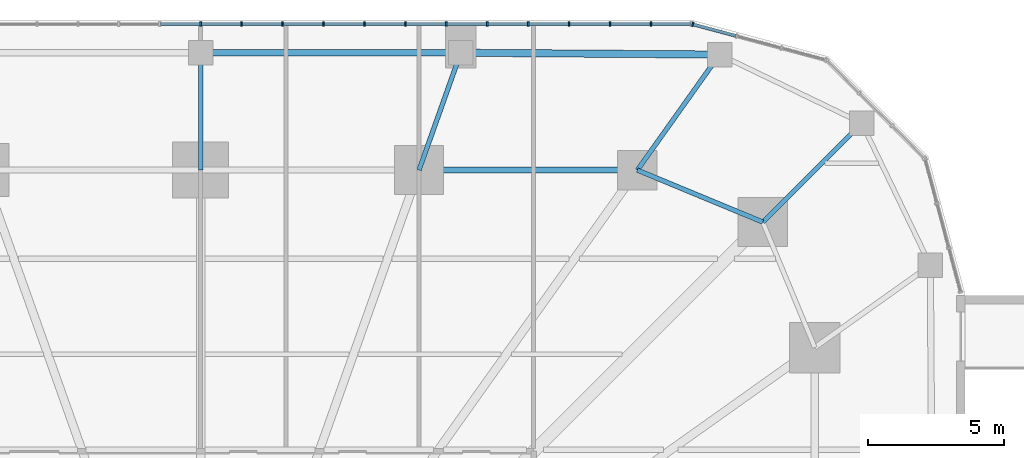
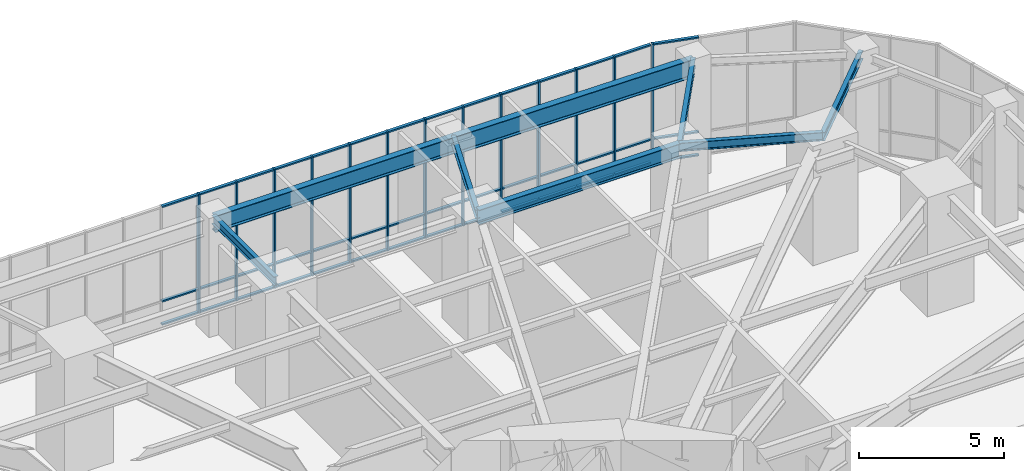
# One storey, part 15 of 24: 55 members, 8 beams, 2 elements without a shape of their own.
"""IFC4 building model written with IfcOpenShell, lengths in metres."""

from ifc_helpers import new_model, si_unit, direction, frame, origin, origin_2d, place, context, subcontext, project, spatial, rectangle, i_section, extrude, material, material_profile, profile_set, type_object, element, aggregate, save


model = new_model("IFC4")

# Units and contexts
model_context = context("Model", 3, precision=1e-05, world=origin(), true_north=direction((0.0, 1.0)))
body_context = subcontext(model_context, "Body", "Model", "MODEL_VIEW")
ifc_project = project(units=[si_unit("LENGTHUNIT", "METRE"), si_unit("AREAUNIT", "SQUARE_METRE"), si_unit("VOLUMEUNIT", "CUBIC_METRE"), si_unit("PLANEANGLEUNIT", "RADIAN"), si_unit("MASSUNIT", "GRAM", prefix="KILO")], contexts=[model_context])

# Site, building, storey
site_placement = place(None, origin())
site = spatial("IfcSite", under=ifc_project, at=site_placement, CompositionType="ELEMENT")
building_placement = place(site_placement, origin())
building = spatial("IfcBuilding", under=site, at=building_placement, Name="Nakasero Lantern House", CompositionType="ELEMENT")
storey_placement = place(building_placement, frame((0.0, 0.0, 11.0)))
storey = spatial("IfcBuildingStorey", under=building, at=storey_placement, Name="L02", CompositionType="ELEMENT", Elevation=11.0)

# Curtain wall, member
ifc_material_1 = material(Name="Aluminium 6063-T6 and glass", Category="aluminium")
curtain_wall_type = type_object("IfcCurtainWallType", Name="Podium curtain wall CW-2", PredefinedType="USERDEFINED", material=ifc_material_1)
curtain_wall_1_placement = place(storey_placement, origin())
curtain_wall_1 = element("IfcCurtainWall", 1, at=curtain_wall_1_placement, inside=storey, type_object=curtain_wall_type, Name="Curtain wall CW-2 L02", ObjectType="STICK CURTAIN WALL", PredefinedType="USERDEFINED")
ifc_material_2 = material(Name="Aluminium 6063-T6", Category="aluminium")
ifc_material_profile_1 = material_profile(ifc_material_2, rectangle(XDim=0.06005859375, YDim=0.159912109375, at=origin_2d()), Name="CW-2 mullion 60x160")
ifc_profile_set_1 = profile_set([ifc_material_profile_1], Name="Aluminium 6063-T6")
member_type_1 = type_object("IfcMemberType", Name="Mullion CW-2", PredefinedType="MULLION", material=ifc_profile_set_1)
member_1_placement = place(storey_placement, frame((18.029052734375, 27.84228515625, 0.0), z_axis=(0.0, 0.0, 1.0), x_axis=(-0.965925826289, 0.258819045103, 0.0)))
member_1 = element("IfcMember", 2, at=member_1_placement, type_object=member_type_1, Name="CW-2 mullion 4", PredefinedType="MULLION", context=body_context, shape_type="SweptSolid", body=[
    extrude(rectangle(XDim=0.06005859375, YDim=0.159912109375, at=origin_2d()), origin(), (0.0, 0.0, 1.0), 5.0),
])

# Curtain wall, members
curtain_wall_2_placement = place(storey_placement, origin())
curtain_wall_2 = element("IfcCurtainWall", 3, at=curtain_wall_2_placement, inside=storey, type_object=curtain_wall_type, Name="Curtain wall CW-2 L02", ObjectType="STICK CURTAIN WALL", PredefinedType="USERDEFINED")
member_2_placement = place(storey_placement, frame((16.5, 27.85009765625, 0.0), z_axis=(0.0, 0.0, 1.0), x_axis=(-1.0, 0.0, 0.0)))
member_2 = element("IfcMember", 4, at=member_2_placement, type_object=member_type_1, Name="CW-2 mullion 2", PredefinedType="MULLION", context=body_context, shape_type="SweptSolid", body=[
    extrude(rectangle(XDim=0.06005859375, YDim=0.159912109375, at=origin_2d()), origin(), (0.0, 0.0, 1.0), 5.0),
])
member_3_placement = place(storey_placement, frame((15.0, 27.85009765625, 0.0), z_axis=(0.0, 0.0, 1.0), x_axis=(-1.0, 0.0, 0.0)))
member_3 = element("IfcMember", 5, at=member_3_placement, type_object=member_type_1, Name="CW-2 mullion 3", PredefinedType="MULLION", context=body_context, shape_type="SweptSolid", body=[
    extrude(rectangle(XDim=0.06005859375, YDim=0.159912109375, at=origin_2d()), origin(), (0.0, 0.0, 1.0), 5.0),
])
member_4_placement = place(storey_placement, frame((13.5, 27.85009765625, 0.0), z_axis=(0.0, 0.0, 1.0), x_axis=(-1.0, 0.0, 0.0)))
member_4 = element("IfcMember", 6, at=member_4_placement, type_object=member_type_1, Name="CW-2 mullion 4", PredefinedType="MULLION", context=body_context, shape_type="SweptSolid", body=[
    extrude(rectangle(XDim=0.06005859375, YDim=0.159912109375, at=origin_2d()), origin(), (0.0, 0.0, 1.0), 5.0),
])
member_5_placement = place(storey_placement, frame((12.0, 27.85009765625, 0.0), z_axis=(0.0, 0.0, 1.0), x_axis=(-1.0, 0.0, 0.0)))
member_5 = element("IfcMember", 7, at=member_5_placement, type_object=member_type_1, Name="CW-2 mullion 5", PredefinedType="MULLION", context=body_context, shape_type="SweptSolid", body=[
    extrude(rectangle(XDim=0.06005859375, YDim=0.159912109375, at=origin_2d()), origin(), (0.0, 0.0, 1.0), 5.0),
])
member_6_placement = place(storey_placement, frame((10.5, 27.85009765625, 0.0), z_axis=(0.0, 0.0, 1.0), x_axis=(-1.0, 0.0, 0.0)))
member_6 = element("IfcMember", 8, at=member_6_placement, type_object=member_type_1, Name="CW-2 mullion 6", PredefinedType="MULLION", context=body_context, shape_type="SweptSolid", body=[
    extrude(rectangle(XDim=0.06005859375, YDim=0.159912109375, at=origin_2d()), origin(), (0.0, 0.0, 1.0), 5.0),
])
member_7_placement = place(storey_placement, frame((9.0, 27.85009765625, 0.0), z_axis=(0.0, 0.0, 1.0), x_axis=(-1.0, 0.0, 0.0)))
member_7 = element("IfcMember", 9, at=member_7_placement, type_object=member_type_1, Name="CW-2 mullion 7", PredefinedType="MULLION", context=body_context, shape_type="SweptSolid", body=[
    extrude(rectangle(XDim=0.06005859375, YDim=0.159912109375, at=origin_2d()), origin(), (0.0, 0.0, 1.0), 5.0),
])
member_8_placement = place(storey_placement, frame((7.5, 27.85009765625, 0.0), z_axis=(0.0, 0.0, 1.0), x_axis=(-1.0, 0.0, 0.0)))
member_8 = element("IfcMember", 10, at=member_8_placement, type_object=member_type_1, Name="CW-2 mullion 8", PredefinedType="MULLION", context=body_context, shape_type="SweptSolid", body=[
    extrude(rectangle(XDim=0.06005859375, YDim=0.159912109375, at=origin_2d()), origin(), (0.0, 0.0, 1.0), 5.0),
])
member_9_placement = place(storey_placement, frame((6.0, 27.85009765625, 0.0), z_axis=(0.0, 0.0, 1.0), x_axis=(-1.0, 0.0, 0.0)))
member_9 = element("IfcMember", 11, at=member_9_placement, type_object=member_type_1, Name="CW-2 mullion 9", PredefinedType="MULLION", context=body_context, shape_type="SweptSolid", body=[
    extrude(rectangle(XDim=0.06005859375, YDim=0.159912109375, at=origin_2d()), origin(), (0.0, 0.0, 1.0), 5.0),
])
member_10_placement = place(storey_placement, frame((4.5, 27.85009765625, 0.0), z_axis=(0.0, 0.0, 1.0), x_axis=(-1.0, 0.0, 0.0)))
member_10 = element("IfcMember", 12, at=member_10_placement, type_object=member_type_1, Name="CW-2 mullion 10", PredefinedType="MULLION", context=body_context, shape_type="SweptSolid", body=[
    extrude(rectangle(XDim=0.06005859375, YDim=0.159912109375, at=origin_2d()), origin(), (0.0, 0.0, 1.0), 5.0),
])
member_11_placement = place(storey_placement, frame((3.0, 27.85009765625, 0.0), z_axis=(0.0, 0.0, 1.0), x_axis=(-1.0, 0.0, 0.0)))
member_11 = element("IfcMember", 13, at=member_11_placement, type_object=member_type_1, Name="CW-2 mullion 11", PredefinedType="MULLION", context=body_context, shape_type="SweptSolid", body=[
    extrude(rectangle(XDim=0.06005859375, YDim=0.159912109375, at=origin_2d()), origin(), (0.0, 0.0, 1.0), 5.0),
])
member_12_placement = place(storey_placement, frame((1.5, 27.85009765625, 0.0), z_axis=(0.0, 0.0, 1.0), x_axis=(-1.0, 0.0, 0.0)))
member_12 = element("IfcMember", 14, at=member_12_placement, type_object=member_type_1, Name="CW-2 mullion 12", PredefinedType="MULLION", context=body_context, shape_type="SweptSolid", body=[
    extrude(rectangle(XDim=0.06005859375, YDim=0.159912109375, at=origin_2d()), origin(), (0.0, 0.0, 1.0), 5.0),
])
member_13_placement = place(storey_placement, frame((0.0, 27.85009765625, 0.0), z_axis=(0.0, 0.0, 1.0), x_axis=(-1.0, 0.0, 0.0)))
member_13 = element("IfcMember", 15, at=member_13_placement, type_object=member_type_1, Name="CW-2 mullion 13", PredefinedType="MULLION", context=body_context, shape_type="SweptSolid", body=[
    extrude(rectangle(XDim=0.06005859375, YDim=0.159912109375, at=origin_2d()), origin(), (0.0, 0.0, 1.0), 5.0),
])

# Beams
ifc_material_3 = material(Name="Steel S355", Category="steel")
ifc_material_profile_2 = material_profile(ifc_material_3, i_section(OverallWidth=0.17138671875, OverallDepth=0.35498046875, WebThickness=0.00732421875, FlangeThickness=0.011474609375, FilletRadius=0.01025390625, at=origin_2d()), Name="UB 356x171x51")
ifc_profile_set_2 = profile_set([ifc_material_profile_2], Name="Steel S355")
beam_type_1 = type_object("IfcBeamType", Name="Primary beam UB 356x171x51, span to 6 m", PredefinedType="BEAM", material=ifc_profile_set_2)
beam_1_placement = place(storey_placement, frame((24.22265625, 24.22265625, 4.572509765625), z_axis=(-0.707106781187, -0.707106781187, 0.0), x_axis=(0.707106781187, -0.707106781187, 0.0)))
element("IfcBeam", 16, at=beam_1_placement, inside=storey, type_object=beam_type_1, Name="Primary beam L03 POD-C06", PredefinedType="BEAM", context=body_context, shape_type="SweptSolid", body=[
    extrude(i_section(OverallWidth=0.17138671875, OverallDepth=0.35498046875, WebThickness=0.00732421875, FlangeThickness=0.011474609375, FilletRadius=0.01025390625, at=origin_2d()), origin(), (0.0, 0.0, 1.0), 5.128662109375),
])
beam_2_placement = place(storey_placement, frame((19.0107421875, 26.733642578125, 4.572509765625), z_axis=(-0.57954320692, -0.814941514044, 0.0), x_axis=(0.814941514044, -0.57954320692, 0.0)))
element("IfcBeam", 17, at=beam_2_placement, inside=storey, type_object=beam_type_1, Name="Primary beam L03 POD-C07", PredefinedType="BEAM", context=body_context, shape_type="SweptSolid", body=[
    extrude(i_section(OverallWidth=0.17138671875, OverallDepth=0.35498046875, WebThickness=0.00732421875, FlangeThickness=0.011474609375, FilletRadius=0.01025390625, at=origin_2d()), origin(), (0.0, 0.0, 1.0), 5.195068359375),
])
beam_3_placement = place(storey_placement, frame((9.52880859375, 26.800048828125, 4.572509765625), z_axis=(-0.334990670833, -0.942221444489, 0.0), x_axis=(0.942221444489, -0.334990670833, 0.0)))
element("IfcBeam", 18, at=beam_3_placement, inside=storey, type_object=beam_type_1, Name="Primary beam L03 POD-C08", PredefinedType="BEAM", context=body_context, shape_type="SweptSolid", body=[
    extrude(i_section(OverallWidth=0.17138671875, OverallDepth=0.35498046875, WebThickness=0.00732421875, FlangeThickness=0.011474609375, FilletRadius=0.01025390625, at=origin_2d()), origin(), (0.0, 0.0, 1.0), 4.563720703125),
])
beam_4_placement = place(storey_placement, frame((0.0, 26.800048828125, 4.572509765625), z_axis=(0.0, -1.0, 0.0), x_axis=(1.0, 0.0, 0.0)))
element("IfcBeam", 19, at=beam_4_placement, inside=storey, type_object=beam_type_1, Name="Primary beam L03 POD-C09", PredefinedType="BEAM", context=body_context, shape_type="SweptSolid", body=[
    extrude(i_section(OverallWidth=0.17138671875, OverallDepth=0.35498046875, WebThickness=0.00732421875, FlangeThickness=0.011474609375, FilletRadius=0.01025390625, at=origin_2d()), origin(), (0.0, 0.0, 1.0), 4.300048828125),
])
ifc_material_4 = material(Name="Steel S355", Category="steel")
ifc_material_profile_3 = material_profile(ifc_material_4, i_section(OverallWidth=0.17138671875, OverallDepth=0.35498046875, WebThickness=0.00732421875, FlangeThickness=0.011474609375, FilletRadius=0.01025390625, at=origin_2d()), Name="UB 356x171x51")
ifc_profile_set_3 = profile_set([ifc_material_profile_3], Name="Steel S355")
beam_type_2 = type_object("IfcBeamType", Name="Ring beam UB 356x171x51", PredefinedType="BEAM", material=ifc_profile_set_3)
beam_5_placement = place(storey_placement, frame((20.59619140625, 20.59619140625, 4.62255859375), z_axis=(-0.923879264016, 0.382684080569, 0.0), x_axis=(-0.382684080569, -0.923879264016, 0.0)))
element("IfcBeam", 20, at=beam_5_placement, inside=storey, type_object=beam_type_2, Name="Ring beam L03 B1-C06", PredefinedType="BEAM", context=body_context, shape_type="SweptSolid", body=[
    extrude(i_section(OverallWidth=0.17138671875, OverallDepth=0.35498046875, WebThickness=0.00732421875, FlangeThickness=0.011474609375, FilletRadius=0.01025390625, at=origin_2d()), origin(), (0.0, 0.0, 1.0), 4.974853515625),
])
ifc_material_5 = material(Name="Steel S355", Category="steel")
ifc_material_profile_4 = material_profile(ifc_material_5, i_section(OverallWidth=0.22900390625, OverallDepth=0.6123046875, WebThickness=0.011962890625, FlangeThickness=0.01953125, FilletRadius=0.0126953125, at=origin_2d()), Name="UB 610x229x125")
ifc_profile_set_4 = profile_set([ifc_material_profile_4], Name="Steel S355")
beam_type_3 = type_object("IfcBeamType", Name="Ring beam UB 610x229x125", PredefinedType="BEAM", material=ifc_profile_set_4)
beam_6_placement = place(storey_placement, frame((16.0, 22.5, 4.493896484375), z_axis=(-1.0, 0.0, 0.0), x_axis=(0.0, -1.0, 0.0)))
element("IfcBeam", 21, at=beam_6_placement, inside=storey, type_object=beam_type_3, Name="Ring beam L03 B1-C07", PredefinedType="BEAM", context=body_context, shape_type="SweptSolid", body=[
    extrude(i_section(OverallWidth=0.22900390625, OverallDepth=0.6123046875, WebThickness=0.011962890625, FlangeThickness=0.01953125, FilletRadius=0.0126953125, at=origin_2d()), origin(), (0.0, 0.0, 1.0), 8.0),
])
ifc_material_6 = material(Name="Steel S355", Category="steel")
ifc_material_profile_5 = material_profile(ifc_material_6, i_section(OverallWidth=0.255859375, OverallDepth=0.69287109375, WebThickness=0.014404296875, FlangeThickness=0.023681640625, FilletRadius=0.01513671875, at=origin_2d()), Name="UB 686x254x170")
ifc_profile_set_5 = profile_set([ifc_material_profile_5], Name="Steel S355")
beam_type_4 = type_object("IfcBeamType", Name="Ring beam UB 686x254x170", PredefinedType="BEAM", material=ifc_profile_set_5)
beam_7_placement = place(storey_placement, frame((9.52880859375, 26.800048828125, 4.403564453125), z_axis=(-1.0, 0.0, 0.0), x_axis=(0.0, -1.0, 0.0)))
element("IfcBeam", 22, at=beam_7_placement, inside=storey, type_object=beam_type_4, Name="Ring beam L03 POD-C08", PredefinedType="BEAM", context=body_context, shape_type="SweptSolid", body=[
    extrude(i_section(OverallWidth=0.255859375, OverallDepth=0.69287109375, WebThickness=0.014404296875, FlangeThickness=0.023681640625, FilletRadius=0.01513671875, at=origin_2d()), origin(), (0.0, 0.0, 1.0), 9.52880859375),
])
ifc_material_7 = material(Name="Steel S355", Category="steel")
ifc_material_profile_6 = material_profile(ifc_material_7, i_section(OverallWidth=0.2666015625, OverallDepth=0.76220703125, WebThickness=0.014404296875, FlangeThickness=0.021484375, FilletRadius=0.0166015625, at=origin_2d()), Name="UB 762x267x173")
ifc_profile_set_6 = profile_set([ifc_material_profile_6], Name="Steel S355")
beam_type_5 = type_object("IfcBeamType", Name="Ring beam UB 762x267x173", PredefinedType="BEAM", material=ifc_profile_set_6)
beam_8_placement = place(storey_placement, frame((19.0107421875, 26.733642578125, 4.368896484375), z_axis=(-0.999975476745, 0.007003278482, 0.0), x_axis=(-0.007003278482, -0.999975476745, 0.0)))
element("IfcBeam", 23, at=beam_8_placement, inside=storey, type_object=beam_type_5, Name="Ring beam L03 POD-C07", PredefinedType="BEAM", context=body_context, shape_type="SweptSolid", body=[
    extrude(i_section(OverallWidth=0.2666015625, OverallDepth=0.76220703125, WebThickness=0.014404296875, FlangeThickness=0.021484375, FilletRadius=0.0166015625, at=origin_2d()), origin(), (0.0, 0.0, 1.0), 9.482177734375),
])

# Member
ifc_material_8 = material(Name="Aluminium 6063-T6", Category="aluminium")
ifc_material_profile_7 = material_profile(ifc_material_8, rectangle(XDim=0.06005859375, YDim=0.1201171875, at=origin_2d()), Name="CW-2 transom 60x120")
ifc_profile_set_7 = profile_set([ifc_material_profile_7], Name="Aluminium 6063-T6")
member_type_2 = type_object("IfcMemberType", Name="Transom CW-2", PredefinedType="USERDEFINED", material=ifc_profile_set_7)
member_14_placement = place(storey_placement, frame((19.61279296875, 27.41796875, 0.030029296875), z_axis=(-0.96594737463, 0.258738612203, 0.0), x_axis=(0.0, 0.0, 1.0)))
member_14 = element("IfcMember", 24, at=member_14_placement, type_object=member_type_2, Name="CW-2 transom 3.1", ObjectType="TRANSOM", PredefinedType="USERDEFINED", context=body_context, shape_type="SweptSolid", body=[
    extrude(rectangle(XDim=0.06005859375, YDim=0.1201171875, at=origin_2d()), origin(), (0.0, 0.0, 1.0), 1.60986328125),
])

member_15_placement = place(storey_placement, frame((19.61279296875, 27.41796875, 1.0), z_axis=(-0.96594737463, 0.258738612203, 0.0), x_axis=(0.0, 0.0, 1.0)))
member_15 = element("IfcMember", 25, at=member_15_placement, type_object=member_type_2, Name="CW-2 transom 3.2", ObjectType="TRANSOM", PredefinedType="USERDEFINED", context=body_context, shape_type="SweptSolid", body=[
    extrude(rectangle(XDim=0.06005859375, YDim=0.1201171875, at=origin_2d()), origin(), (0.0, 0.0, 1.0), 1.60986328125),
])

member_16_placement = place(storey_placement, frame((19.61279296875, 27.41796875, 4.969970703125), z_axis=(-0.96594737463, 0.258738612203, 0.0), x_axis=(0.0, 0.0, 1.0)))
member_16 = element("IfcMember", 26, at=member_16_placement, type_object=member_type_2, Name="CW-2 transom 3.3", ObjectType="TRANSOM", PredefinedType="USERDEFINED", context=body_context, shape_type="SweptSolid", body=[
    extrude(rectangle(XDim=0.06005859375, YDim=0.1201171875, at=origin_2d()), origin(), (0.0, 0.0, 1.0), 1.60986328125),
])

aggregate(curtain_wall_1, [member_1, member_14, member_15, member_16])

member_17_placement = place(storey_placement, frame((17.93994140625, 27.85009765625, 0.030029296875), z_axis=(-1.0, 0.0, 0.0), x_axis=(0.0, 0.0, 1.0)))
member_17 = element("IfcMember", 27, at=member_17_placement, type_object=member_type_2, Name="CW-2 transom 1.1", ObjectType="TRANSOM", PredefinedType="USERDEFINED", context=body_context, shape_type="SweptSolid", body=[
    extrude(rectangle(XDim=0.06005859375, YDim=0.1201171875, at=origin_2d()), origin(), (0.0, 0.0, 1.0), 1.409912109375),
])

member_18_placement = place(storey_placement, frame((17.93994140625, 27.85009765625, 1.0), z_axis=(-1.0, 0.0, 0.0), x_axis=(0.0, 0.0, 1.0)))
member_18 = element("IfcMember", 28, at=member_18_placement, type_object=member_type_2, Name="CW-2 transom 1.2", ObjectType="TRANSOM", PredefinedType="USERDEFINED", context=body_context, shape_type="SweptSolid", body=[
    extrude(rectangle(XDim=0.06005859375, YDim=0.1201171875, at=origin_2d()), origin(), (0.0, 0.0, 1.0), 1.409912109375),
])

member_19_placement = place(storey_placement, frame((17.93994140625, 27.85009765625, 4.969970703125), z_axis=(-1.0, 0.0, 0.0), x_axis=(0.0, 0.0, 1.0)))
member_19 = element("IfcMember", 29, at=member_19_placement, type_object=member_type_2, Name="CW-2 transom 1.3", ObjectType="TRANSOM", PredefinedType="USERDEFINED", context=body_context, shape_type="SweptSolid", body=[
    extrude(rectangle(XDim=0.06005859375, YDim=0.1201171875, at=origin_2d()), origin(), (0.0, 0.0, 1.0), 1.409912109375),
])

member_20_placement = place(storey_placement, frame((16.469970703125, 27.85009765625, 0.030029296875), z_axis=(-1.0, 0.0, 0.0), x_axis=(0.0, 0.0, 1.0)))
member_20 = element("IfcMember", 30, at=member_20_placement, type_object=member_type_2, Name="CW-2 transom 2.1", ObjectType="TRANSOM", PredefinedType="USERDEFINED", context=body_context, shape_type="SweptSolid", body=[
    extrude(rectangle(XDim=0.06005859375, YDim=0.1201171875, at=origin_2d()), origin(), (0.0, 0.0, 1.0), 1.43994140625),
])

member_21_placement = place(storey_placement, frame((16.469970703125, 27.85009765625, 1.0), z_axis=(-1.0, 0.0, 0.0), x_axis=(0.0, 0.0, 1.0)))
member_21 = element("IfcMember", 31, at=member_21_placement, type_object=member_type_2, Name="CW-2 transom 2.2", ObjectType="TRANSOM", PredefinedType="USERDEFINED", context=body_context, shape_type="SweptSolid", body=[
    extrude(rectangle(XDim=0.06005859375, YDim=0.1201171875, at=origin_2d()), origin(), (0.0, 0.0, 1.0), 1.43994140625),
])

member_22_placement = place(storey_placement, frame((16.469970703125, 27.85009765625, 4.969970703125), z_axis=(-1.0, 0.0, 0.0), x_axis=(0.0, 0.0, 1.0)))
member_22 = element("IfcMember", 32, at=member_22_placement, type_object=member_type_2, Name="CW-2 transom 2.3", ObjectType="TRANSOM", PredefinedType="USERDEFINED", context=body_context, shape_type="SweptSolid", body=[
    extrude(rectangle(XDim=0.06005859375, YDim=0.1201171875, at=origin_2d()), origin(), (0.0, 0.0, 1.0), 1.43994140625),
])

member_23_placement = place(storey_placement, frame((14.969970703125, 27.85009765625, 0.030029296875), z_axis=(-1.0, 0.0, 0.0), x_axis=(0.0, 0.0, 1.0)))
member_23 = element("IfcMember", 33, at=member_23_placement, type_object=member_type_2, Name="CW-2 transom 3.1", ObjectType="TRANSOM", PredefinedType="USERDEFINED", context=body_context, shape_type="SweptSolid", body=[
    extrude(rectangle(XDim=0.06005859375, YDim=0.1201171875, at=origin_2d()), origin(), (0.0, 0.0, 1.0), 1.43994140625),
])

member_24_placement = place(storey_placement, frame((14.969970703125, 27.85009765625, 1.0), z_axis=(-1.0, 0.0, 0.0), x_axis=(0.0, 0.0, 1.0)))
member_24 = element("IfcMember", 34, at=member_24_placement, type_object=member_type_2, Name="CW-2 transom 3.2", ObjectType="TRANSOM", PredefinedType="USERDEFINED", context=body_context, shape_type="SweptSolid", body=[
    extrude(rectangle(XDim=0.06005859375, YDim=0.1201171875, at=origin_2d()), origin(), (0.0, 0.0, 1.0), 1.43994140625),
])

member_25_placement = place(storey_placement, frame((14.969970703125, 27.85009765625, 4.969970703125), z_axis=(-1.0, 0.0, 0.0), x_axis=(0.0, 0.0, 1.0)))
member_25 = element("IfcMember", 35, at=member_25_placement, type_object=member_type_2, Name="CW-2 transom 3.3", ObjectType="TRANSOM", PredefinedType="USERDEFINED", context=body_context, shape_type="SweptSolid", body=[
    extrude(rectangle(XDim=0.06005859375, YDim=0.1201171875, at=origin_2d()), origin(), (0.0, 0.0, 1.0), 1.43994140625),
])

member_26_placement = place(storey_placement, frame((13.469970703125, 27.85009765625, 0.030029296875), z_axis=(-1.0, 0.0, 0.0), x_axis=(0.0, 0.0, 1.0)))
member_26 = element("IfcMember", 36, at=member_26_placement, type_object=member_type_2, Name="CW-2 transom 4.1", ObjectType="TRANSOM", PredefinedType="USERDEFINED", context=body_context, shape_type="SweptSolid", body=[
    extrude(rectangle(XDim=0.06005859375, YDim=0.1201171875, at=origin_2d()), origin(), (0.0, 0.0, 1.0), 1.43994140625),
])

member_27_placement = place(storey_placement, frame((13.469970703125, 27.85009765625, 1.0), z_axis=(-1.0, 0.0, 0.0), x_axis=(0.0, 0.0, 1.0)))
member_27 = element("IfcMember", 37, at=member_27_placement, type_object=member_type_2, Name="CW-2 transom 4.2", ObjectType="TRANSOM", PredefinedType="USERDEFINED", context=body_context, shape_type="SweptSolid", body=[
    extrude(rectangle(XDim=0.06005859375, YDim=0.1201171875, at=origin_2d()), origin(), (0.0, 0.0, 1.0), 1.43994140625),
])

member_28_placement = place(storey_placement, frame((13.469970703125, 27.85009765625, 4.969970703125), z_axis=(-1.0, 0.0, 0.0), x_axis=(0.0, 0.0, 1.0)))
member_28 = element("IfcMember", 38, at=member_28_placement, type_object=member_type_2, Name="CW-2 transom 4.3", ObjectType="TRANSOM", PredefinedType="USERDEFINED", context=body_context, shape_type="SweptSolid", body=[
    extrude(rectangle(XDim=0.06005859375, YDim=0.1201171875, at=origin_2d()), origin(), (0.0, 0.0, 1.0), 1.43994140625),
])

member_29_placement = place(storey_placement, frame((11.969970703125, 27.85009765625, 0.030029296875), z_axis=(-1.0, 0.0, 0.0), x_axis=(0.0, 0.0, 1.0)))
member_29 = element("IfcMember", 39, at=member_29_placement, type_object=member_type_2, Name="CW-2 transom 5.1", ObjectType="TRANSOM", PredefinedType="USERDEFINED", context=body_context, shape_type="SweptSolid", body=[
    extrude(rectangle(XDim=0.06005859375, YDim=0.1201171875, at=origin_2d()), origin(), (0.0, 0.0, 1.0), 1.43994140625),
])

member_30_placement = place(storey_placement, frame((11.969970703125, 27.85009765625, 1.0), z_axis=(-1.0, 0.0, 0.0), x_axis=(0.0, 0.0, 1.0)))
member_30 = element("IfcMember", 40, at=member_30_placement, type_object=member_type_2, Name="CW-2 transom 5.2", ObjectType="TRANSOM", PredefinedType="USERDEFINED", context=body_context, shape_type="SweptSolid", body=[
    extrude(rectangle(XDim=0.06005859375, YDim=0.1201171875, at=origin_2d()), origin(), (0.0, 0.0, 1.0), 1.43994140625),
])

member_31_placement = place(storey_placement, frame((11.969970703125, 27.85009765625, 4.969970703125), z_axis=(-1.0, 0.0, 0.0), x_axis=(0.0, 0.0, 1.0)))
member_31 = element("IfcMember", 41, at=member_31_placement, type_object=member_type_2, Name="CW-2 transom 5.3", ObjectType="TRANSOM", PredefinedType="USERDEFINED", context=body_context, shape_type="SweptSolid", body=[
    extrude(rectangle(XDim=0.06005859375, YDim=0.1201171875, at=origin_2d()), origin(), (0.0, 0.0, 1.0), 1.43994140625),
])

member_32_placement = place(storey_placement, frame((10.469970703125, 27.85009765625, 0.030029296875), z_axis=(-1.0, 0.0, 0.0), x_axis=(0.0, 0.0, 1.0)))
member_32 = element("IfcMember", 42, at=member_32_placement, type_object=member_type_2, Name="CW-2 transom 6.1", ObjectType="TRANSOM", PredefinedType="USERDEFINED", context=body_context, shape_type="SweptSolid", body=[
    extrude(rectangle(XDim=0.06005859375, YDim=0.1201171875, at=origin_2d()), origin(), (0.0, 0.0, 1.0), 1.43994140625),
])

member_33_placement = place(storey_placement, frame((10.469970703125, 27.85009765625, 1.0), z_axis=(-1.0, 0.0, 0.0), x_axis=(0.0, 0.0, 1.0)))
member_33 = element("IfcMember", 43, at=member_33_placement, type_object=member_type_2, Name="CW-2 transom 6.2", ObjectType="TRANSOM", PredefinedType="USERDEFINED", context=body_context, shape_type="SweptSolid", body=[
    extrude(rectangle(XDim=0.06005859375, YDim=0.1201171875, at=origin_2d()), origin(), (0.0, 0.0, 1.0), 1.43994140625),
])

member_34_placement = place(storey_placement, frame((10.469970703125, 27.85009765625, 4.969970703125), z_axis=(-1.0, 0.0, 0.0), x_axis=(0.0, 0.0, 1.0)))
member_34 = element("IfcMember", 44, at=member_34_placement, type_object=member_type_2, Name="CW-2 transom 6.3", ObjectType="TRANSOM", PredefinedType="USERDEFINED", context=body_context, shape_type="SweptSolid", body=[
    extrude(rectangle(XDim=0.06005859375, YDim=0.1201171875, at=origin_2d()), origin(), (0.0, 0.0, 1.0), 1.43994140625),
])

member_35_placement = place(storey_placement, frame((8.969970703125, 27.85009765625, 0.030029296875), z_axis=(-1.0, 0.0, 0.0), x_axis=(0.0, 0.0, 1.0)))
member_35 = element("IfcMember", 45, at=member_35_placement, type_object=member_type_2, Name="CW-2 transom 7.1", ObjectType="TRANSOM", PredefinedType="USERDEFINED", context=body_context, shape_type="SweptSolid", body=[
    extrude(rectangle(XDim=0.06005859375, YDim=0.1201171875, at=origin_2d()), origin(), (0.0, 0.0, 1.0), 1.43994140625),
])

member_36_placement = place(storey_placement, frame((8.969970703125, 27.85009765625, 1.0), z_axis=(-1.0, 0.0, 0.0), x_axis=(0.0, 0.0, 1.0)))
member_36 = element("IfcMember", 46, at=member_36_placement, type_object=member_type_2, Name="CW-2 transom 7.2", ObjectType="TRANSOM", PredefinedType="USERDEFINED", context=body_context, shape_type="SweptSolid", body=[
    extrude(rectangle(XDim=0.06005859375, YDim=0.1201171875, at=origin_2d()), origin(), (0.0, 0.0, 1.0), 1.43994140625),
])

member_37_placement = place(storey_placement, frame((8.969970703125, 27.85009765625, 4.969970703125), z_axis=(-1.0, 0.0, 0.0), x_axis=(0.0, 0.0, 1.0)))
member_37 = element("IfcMember", 47, at=member_37_placement, type_object=member_type_2, Name="CW-2 transom 7.3", ObjectType="TRANSOM", PredefinedType="USERDEFINED", context=body_context, shape_type="SweptSolid", body=[
    extrude(rectangle(XDim=0.06005859375, YDim=0.1201171875, at=origin_2d()), origin(), (0.0, 0.0, 1.0), 1.43994140625),
])

member_38_placement = place(storey_placement, frame((7.469970703125, 27.85009765625, 0.030029296875), z_axis=(-1.0, 0.0, 0.0), x_axis=(0.0, 0.0, 1.0)))
member_38 = element("IfcMember", 48, at=member_38_placement, type_object=member_type_2, Name="CW-2 transom 8.1", ObjectType="TRANSOM", PredefinedType="USERDEFINED", context=body_context, shape_type="SweptSolid", body=[
    extrude(rectangle(XDim=0.06005859375, YDim=0.1201171875, at=origin_2d()), origin(), (0.0, 0.0, 1.0), 1.43994140625),
])

member_39_placement = place(storey_placement, frame((7.469970703125, 27.85009765625, 1.0), z_axis=(-1.0, 0.0, 0.0), x_axis=(0.0, 0.0, 1.0)))
member_39 = element("IfcMember", 49, at=member_39_placement, type_object=member_type_2, Name="CW-2 transom 8.2", ObjectType="TRANSOM", PredefinedType="USERDEFINED", context=body_context, shape_type="SweptSolid", body=[
    extrude(rectangle(XDim=0.06005859375, YDim=0.1201171875, at=origin_2d()), origin(), (0.0, 0.0, 1.0), 1.43994140625),
])

member_40_placement = place(storey_placement, frame((7.469970703125, 27.85009765625, 4.969970703125), z_axis=(-1.0, 0.0, 0.0), x_axis=(0.0, 0.0, 1.0)))
member_40 = element("IfcMember", 50, at=member_40_placement, type_object=member_type_2, Name="CW-2 transom 8.3", ObjectType="TRANSOM", PredefinedType="USERDEFINED", context=body_context, shape_type="SweptSolid", body=[
    extrude(rectangle(XDim=0.06005859375, YDim=0.1201171875, at=origin_2d()), origin(), (0.0, 0.0, 1.0), 1.43994140625),
])

member_41_placement = place(storey_placement, frame((5.969970703125, 27.85009765625, 0.030029296875), z_axis=(-1.0, 0.0, 0.0), x_axis=(0.0, 0.0, 1.0)))
member_41 = element("IfcMember", 51, at=member_41_placement, type_object=member_type_2, Name="CW-2 transom 9.1", ObjectType="TRANSOM", PredefinedType="USERDEFINED", context=body_context, shape_type="SweptSolid", body=[
    extrude(rectangle(XDim=0.06005859375, YDim=0.1201171875, at=origin_2d()), origin(), (0.0, 0.0, 1.0), 1.43994140625),
])

member_42_placement = place(storey_placement, frame((5.969970703125, 27.85009765625, 1.0), z_axis=(-1.0, 0.0, 0.0), x_axis=(0.0, 0.0, 1.0)))
member_42 = element("IfcMember", 52, at=member_42_placement, type_object=member_type_2, Name="CW-2 transom 9.2", ObjectType="TRANSOM", PredefinedType="USERDEFINED", context=body_context, shape_type="SweptSolid", body=[
    extrude(rectangle(XDim=0.06005859375, YDim=0.1201171875, at=origin_2d()), origin(), (0.0, 0.0, 1.0), 1.43994140625),
])

member_43_placement = place(storey_placement, frame((5.969970703125, 27.85009765625, 4.969970703125), z_axis=(-1.0, 0.0, 0.0), x_axis=(0.0, 0.0, 1.0)))
member_43 = element("IfcMember", 53, at=member_43_placement, type_object=member_type_2, Name="CW-2 transom 9.3", ObjectType="TRANSOM", PredefinedType="USERDEFINED", context=body_context, shape_type="SweptSolid", body=[
    extrude(rectangle(XDim=0.06005859375, YDim=0.1201171875, at=origin_2d()), origin(), (0.0, 0.0, 1.0), 1.43994140625),
])

member_44_placement = place(storey_placement, frame((4.469970703125, 27.85009765625, 0.030029296875), z_axis=(-1.0, 0.0, 0.0), x_axis=(0.0, 0.0, 1.0)))
member_44 = element("IfcMember", 54, at=member_44_placement, type_object=member_type_2, Name="CW-2 transom 10.1", ObjectType="TRANSOM", PredefinedType="USERDEFINED", context=body_context, shape_type="SweptSolid", body=[
    extrude(rectangle(XDim=0.06005859375, YDim=0.1201171875, at=origin_2d()), origin(), (0.0, 0.0, 1.0), 1.43994140625),
])

member_45_placement = place(storey_placement, frame((4.469970703125, 27.85009765625, 1.0), z_axis=(-1.0, 0.0, 0.0), x_axis=(0.0, 0.0, 1.0)))
member_45 = element("IfcMember", 55, at=member_45_placement, type_object=member_type_2, Name="CW-2 transom 10.2", ObjectType="TRANSOM", PredefinedType="USERDEFINED", context=body_context, shape_type="SweptSolid", body=[
    extrude(rectangle(XDim=0.06005859375, YDim=0.1201171875, at=origin_2d()), origin(), (0.0, 0.0, 1.0), 1.43994140625),
])

member_46_placement = place(storey_placement, frame((4.469970703125, 27.85009765625, 4.969970703125), z_axis=(-1.0, 0.0, 0.0), x_axis=(0.0, 0.0, 1.0)))
member_46 = element("IfcMember", 56, at=member_46_placement, type_object=member_type_2, Name="CW-2 transom 10.3", ObjectType="TRANSOM", PredefinedType="USERDEFINED", context=body_context, shape_type="SweptSolid", body=[
    extrude(rectangle(XDim=0.06005859375, YDim=0.1201171875, at=origin_2d()), origin(), (0.0, 0.0, 1.0), 1.43994140625),
])

member_47_placement = place(storey_placement, frame((2.969970703125, 27.85009765625, 0.030029296875), z_axis=(-1.0, 0.0, 0.0), x_axis=(0.0, 0.0, 1.0)))
member_47 = element("IfcMember", 57, at=member_47_placement, type_object=member_type_2, Name="CW-2 transom 11.1", ObjectType="TRANSOM", PredefinedType="USERDEFINED", context=body_context, shape_type="SweptSolid", body=[
    extrude(rectangle(XDim=0.06005859375, YDim=0.1201171875, at=origin_2d()), origin(), (0.0, 0.0, 1.0), 1.43994140625),
])

member_48_placement = place(storey_placement, frame((2.969970703125, 27.85009765625, 1.0), z_axis=(-1.0, 0.0, 0.0), x_axis=(0.0, 0.0, 1.0)))
member_48 = element("IfcMember", 58, at=member_48_placement, type_object=member_type_2, Name="CW-2 transom 11.2", ObjectType="TRANSOM", PredefinedType="USERDEFINED", context=body_context, shape_type="SweptSolid", body=[
    extrude(rectangle(XDim=0.06005859375, YDim=0.1201171875, at=origin_2d()), origin(), (0.0, 0.0, 1.0), 1.43994140625),
])

member_49_placement = place(storey_placement, frame((2.969970703125, 27.85009765625, 4.969970703125), z_axis=(-1.0, 0.0, 0.0), x_axis=(0.0, 0.0, 1.0)))
member_49 = element("IfcMember", 59, at=member_49_placement, type_object=member_type_2, Name="CW-2 transom 11.3", ObjectType="TRANSOM", PredefinedType="USERDEFINED", context=body_context, shape_type="SweptSolid", body=[
    extrude(rectangle(XDim=0.06005859375, YDim=0.1201171875, at=origin_2d()), origin(), (0.0, 0.0, 1.0), 1.43994140625),
])

member_50_placement = place(storey_placement, frame((1.469970703125, 27.85009765625, 0.030029296875), z_axis=(-1.0, 0.0, 0.0), x_axis=(0.0, 0.0, 1.0)))
member_50 = element("IfcMember", 60, at=member_50_placement, type_object=member_type_2, Name="CW-2 transom 12.1", ObjectType="TRANSOM", PredefinedType="USERDEFINED", context=body_context, shape_type="SweptSolid", body=[
    extrude(rectangle(XDim=0.06005859375, YDim=0.1201171875, at=origin_2d()), origin(), (0.0, 0.0, 1.0), 1.43994140625),
])

member_51_placement = place(storey_placement, frame((1.469970703125, 27.85009765625, 1.0), z_axis=(-1.0, 0.0, 0.0), x_axis=(0.0, 0.0, 1.0)))
member_51 = element("IfcMember", 61, at=member_51_placement, type_object=member_type_2, Name="CW-2 transom 12.2", ObjectType="TRANSOM", PredefinedType="USERDEFINED", context=body_context, shape_type="SweptSolid", body=[
    extrude(rectangle(XDim=0.06005859375, YDim=0.1201171875, at=origin_2d()), origin(), (0.0, 0.0, 1.0), 1.43994140625),
])

member_52_placement = place(storey_placement, frame((1.469970703125, 27.85009765625, 4.969970703125), z_axis=(-1.0, 0.0, 0.0), x_axis=(0.0, 0.0, 1.0)))
member_52 = element("IfcMember", 62, at=member_52_placement, type_object=member_type_2, Name="CW-2 transom 12.3", ObjectType="TRANSOM", PredefinedType="USERDEFINED", context=body_context, shape_type="SweptSolid", body=[
    extrude(rectangle(XDim=0.06005859375, YDim=0.1201171875, at=origin_2d()), origin(), (0.0, 0.0, 1.0), 1.43994140625),
])

member_53_placement = place(storey_placement, frame((-0.030029296875, 27.85009765625, 0.030029296875), z_axis=(-1.0, 0.0, 0.0), x_axis=(0.0, 0.0, 1.0)))
member_53 = element("IfcMember", 63, at=member_53_placement, type_object=member_type_2, Name="CW-2 transom 13.1", ObjectType="TRANSOM", PredefinedType="USERDEFINED", context=body_context, shape_type="SweptSolid", body=[
    extrude(rectangle(XDim=0.06005859375, YDim=0.1201171875, at=origin_2d()), origin(), (0.0, 0.0, 1.0), 1.43994140625),
])

member_54_placement = place(storey_placement, frame((-0.030029296875, 27.85009765625, 1.0), z_axis=(-1.0, 0.0, 0.0), x_axis=(0.0, 0.0, 1.0)))
member_54 = element("IfcMember", 64, at=member_54_placement, type_object=member_type_2, Name="CW-2 transom 13.2", ObjectType="TRANSOM", PredefinedType="USERDEFINED", context=body_context, shape_type="SweptSolid", body=[
    extrude(rectangle(XDim=0.06005859375, YDim=0.1201171875, at=origin_2d()), origin(), (0.0, 0.0, 1.0), 1.43994140625),
])

member_55_placement = place(storey_placement, frame((-0.030029296875, 27.85009765625, 4.969970703125), z_axis=(-1.0, 0.0, 0.0), x_axis=(0.0, 0.0, 1.0)))
member_55 = element("IfcMember", 65, at=member_55_placement, type_object=member_type_2, Name="CW-2 transom 13.3", ObjectType="TRANSOM", PredefinedType="USERDEFINED", context=body_context, shape_type="SweptSolid", body=[
    extrude(rectangle(XDim=0.06005859375, YDim=0.1201171875, at=origin_2d()), origin(), (0.0, 0.0, 1.0), 1.43994140625),
])

aggregate(curtain_wall_2, [member_2, member_3, member_4, member_5, member_6, member_7, member_8, member_9, member_10, member_11, member_12, member_13, member_17, member_18, member_19, member_20, member_21, member_22, member_23, member_24, member_25, member_26, member_27, member_28, member_29, member_30, member_31, member_32, member_33, member_34, member_35, member_36, member_37, member_38, member_39, member_40, member_41, member_42, member_43, member_44, member_45, member_46, member_47, member_48, member_49, member_50, member_51, member_52, member_53, member_54, member_55])

save(model, "model.ifc")
